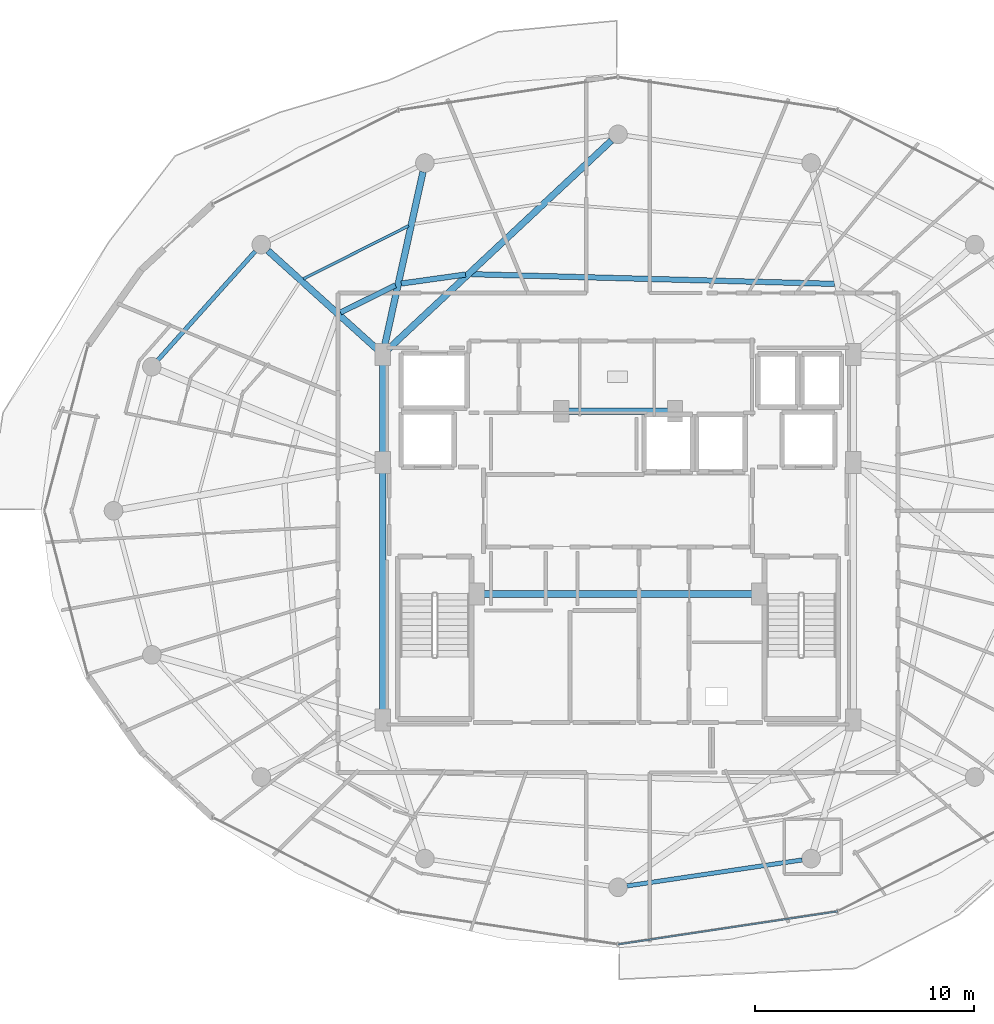
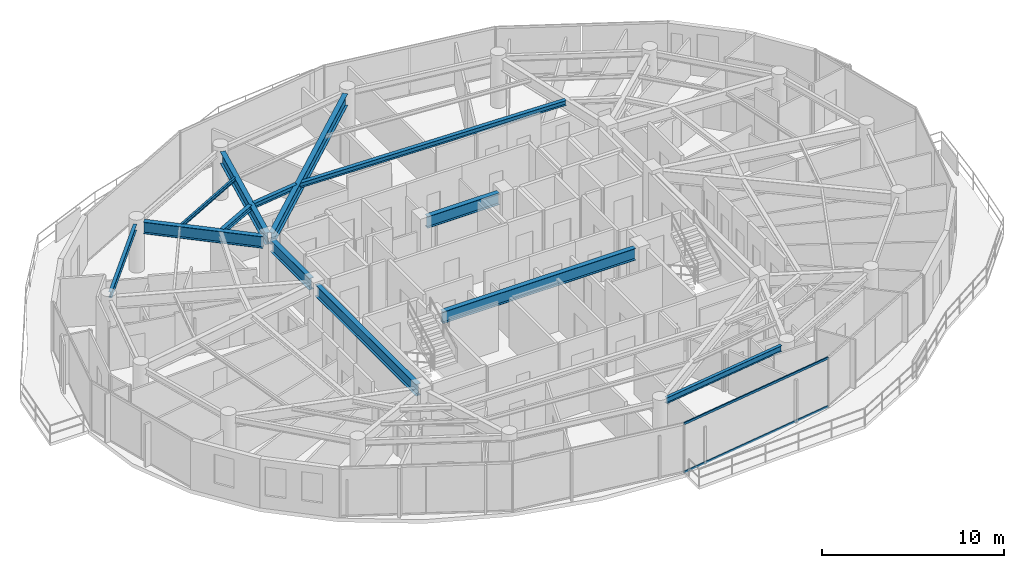
# One storey, part 9 of 29: 13 beams, 2 members, 1 element without a shape of its own.
"""IFC4 building model written with IfcOpenShell, lengths in metres."""

from ifc_helpers import new_model, si_unit, direction, frame, origin, origin_2d, place, context, subcontext, project, spatial, hollow_rectangle, i_section, extrude, material, material_profile, profile_set, type_object, element, aggregate, save


model = new_model("IFC4")

# Units and contexts
model_context = context("Model", 3, precision=1e-05, world=origin(), true_north=direction((0.0, 1.0)))
body_context = subcontext(model_context, "Body", "Model", "MODEL_VIEW")
ifc_project = project(units=[si_unit("LENGTHUNIT", "METRE"), si_unit("AREAUNIT", "SQUARE_METRE"), si_unit("VOLUMEUNIT", "CUBIC_METRE"), si_unit("PLANEANGLEUNIT", "RADIAN"), si_unit("MASSUNIT", "GRAM", prefix="KILO")], contexts=[model_context])

# Site, building, storey
site_placement = place(None, origin())
site = spatial("IfcSite", under=ifc_project, at=site_placement, CompositionType="ELEMENT")
building_placement = place(site_placement, origin())
building = spatial("IfcBuilding", under=site, at=building_placement, Name="Vorneva Point Tower", CompositionType="ELEMENT")
storey_placement = place(building_placement, frame((0.0, 0.0, 255.550048828125)))
storey = spatial("IfcBuildingStorey", under=building, at=storey_placement, Name="L69", CompositionType="ELEMENT", Elevation=255.550048828125)

# Beams
ifc_material_1 = material(Name="Steel S355", Category="steel")
ifc_material_profile_1 = material_profile(ifc_material_1, i_section(OverallWidth=0.300048828125, OverallDepth=0.7880859375, WebThickness=0.014404296875, FlangeThickness=0.02197265625, at=origin_2d()), Name="80Sh1")
ifc_profile_set_1 = profile_set([ifc_material_profile_1], Name="Steel S355")
beam_type_1 = type_object("IfcBeamType", Name="BM-GRD-80Sh1", PredefinedType="USERDEFINED", material=ifc_profile_set_1)
beam_1_placement = place(storey_placement, frame((37.6982421875, 42.91796875, 2.89599609375), z_axis=(-0.730485790946, -0.682927894602, 0.0), x_axis=(0.682927894602, -0.730485790946, 0.0)))
element("IfcBeam", 1, at=beam_1_placement, inside=storey, type_object=beam_type_1, Name="L69 Radial Primary Girder 05", ObjectType="GIRDER", PredefinedType="USERDEFINED", context=body_context, shape_type="SweptSolid", body=[
    extrude(i_section(OverallWidth=0.300048828125, OverallDepth=0.7880859375, WebThickness=0.014404296875, FlangeThickness=0.02197265625, at=origin_2d()), origin(), (0.0, 0.0, 1.0), 13.963134765625),
])
beam_2_placement = place(storey_placement, frame((29.090087890625, 41.4873046875, 2.89599609375), z_axis=(-0.215520742957, -0.976499262342, 0.0), x_axis=(0.976499262342, -0.215520742957, 0.0)))
element("IfcBeam", 2, at=beam_2_placement, inside=storey, type_object=beam_type_1, Name="L69 Radial Primary Girder 06", ObjectType="GIRDER", PredefinedType="USERDEFINED", context=body_context, shape_type="SweptSolid", body=[
    extrude(i_section(OverallWidth=0.300048828125, OverallDepth=0.7880859375, WebThickness=0.014404296875, FlangeThickness=0.02197265625, at=origin_2d()), origin(), (0.0, 0.0, 1.0), 8.197998046875),
])
beam_3_placement = place(storey_placement, frame((22.0078125, 37.885498046875, 2.89599609375), z_axis=(0.7420671051, -0.670325601128, 0.0), x_axis=(0.670325601128, 0.7420671051, 0.0)))
element("IfcBeam", 3, at=beam_3_placement, inside=storey, type_object=beam_type_1, Name="L69 Radial Primary Girder 07", ObjectType="GIRDER", PredefinedType="USERDEFINED", context=body_context, shape_type="SweptSolid", body=[
    extrude(i_section(OverallWidth=0.300048828125, OverallDepth=0.7880859375, WebThickness=0.014404296875, FlangeThickness=0.02197265625, at=origin_2d()), origin(), (0.0, 0.0, 1.0), 6.724365234375),
])
beam_4_placement = place(storey_placement, frame((27.25, 16.77001953125, 2.89599609375), z_axis=(0.0, 1.0, 0.0), x_axis=(-1.0, 0.0, 0.0)))
element("IfcBeam", 4, at=beam_4_placement, inside=storey, type_object=beam_type_1, Name="L69 Core Tie Girder CT1", ObjectType="GIRDER", PredefinedType="USERDEFINED", context=body_context, shape_type="SweptSolid", body=[
    extrude(i_section(OverallWidth=0.300048828125, OverallDepth=0.7880859375, WebThickness=0.014404296875, FlangeThickness=0.02197265625, at=origin_2d()), origin(), (0.0, 0.0, 1.0), 11.10986328125),
])
beam_5_placement = place(storey_placement, frame((27.25, 28.52001953125, 2.89599609375), z_axis=(0.0, 1.0, 0.0), x_axis=(-1.0, 0.0, 0.0)))
element("IfcBeam", 5, at=beam_5_placement, inside=storey, type_object=beam_type_1, Name="L69 Core Tie Girder CT2", ObjectType="GIRDER", PredefinedType="USERDEFINED", context=body_context, shape_type="SweptSolid", body=[
    extrude(i_section(OverallWidth=0.300048828125, OverallDepth=0.7880859375, WebThickness=0.014404296875, FlangeThickness=0.02197265625, at=origin_2d()), origin(), (0.0, 0.0, 1.0), 4.31005859375),
])
beam_6_placement = place(storey_placement, frame((35.719970703125, 30.550048828125, 2.89599609375), z_axis=(1.0, 0.0, 0.0), x_axis=(0.0, 1.0, 0.0)))
element("IfcBeam", 6, at=beam_6_placement, inside=storey, type_object=beam_type_1, Name="L69 Core Tie Girder CT8", ObjectType="GIRDER", PredefinedType="USERDEFINED", context=body_context, shape_type="SweptSolid", body=[
    extrude(i_section(OverallWidth=0.300048828125, OverallDepth=0.7880859375, WebThickness=0.014404296875, FlangeThickness=0.02197265625, at=origin_2d()), origin(), (0.0, 0.0, 1.0), 4.56005859375),
])
beam_7_placement = place(storey_placement, frame((31.8701171875, 22.199951171875, 2.89599609375), z_axis=(1.0, 0.0, 0.0), x_axis=(0.0, 1.0, 0.0)))
element("IfcBeam", 7, at=beam_7_placement, inside=storey, type_object=beam_type_1, Name="L69 Core Tie Girder CT7", ObjectType="GIRDER", PredefinedType="USERDEFINED", context=body_context, shape_type="SweptSolid", body=[
    extrude(i_section(OverallWidth=0.300048828125, OverallDepth=0.7880859375, WebThickness=0.014404296875, FlangeThickness=0.02197265625, at=origin_2d()), origin(), (0.0, 0.0, 1.0), 12.259765625),
])
ifc_material_profile_2 = material_profile(ifc_material_1, i_section(OverallWidth=0.1240234375, OverallDepth=0.248046875, WebThickness=0.0048828125, FlangeThickness=0.008056640625, at=origin_2d()), Name="25B1")
ifc_profile_set_2 = profile_set([ifc_material_profile_2], Name="Steel S355")
beam_type_2 = type_object("IfcBeamType", Name="BM-JST-25B1", PredefinedType="JOIST", material=ifc_profile_set_2)
beam_8_placement = place(storey_placement, frame((28.43701171875, 39.023681640625, 3.166015625), z_axis=(-0.892661963026, -0.450726768416, 0.0), x_axis=(0.450726768416, -0.892661963026, 0.0)))
element("IfcBeam", 8, at=beam_8_placement, inside=storey, type_object=beam_type_2, Name="L69 Secondary Floor Beam 1.06", PredefinedType="JOIST", context=body_context, shape_type="SweptSolid", body=[
    extrude(i_section(OverallWidth=0.1240234375, OverallDepth=0.248046875, WebThickness=0.0048828125, FlangeThickness=0.008056640625, at=origin_2d()), origin(), (0.0, 0.0, 1.0), 5.387451171875),
])
ifc_material_profile_3 = material_profile(ifc_material_1, i_section(OverallWidth=0.2490234375, OverallDepth=0.333984375, WebThickness=0.008056640625, FlangeThickness=0.010986328125, at=origin_2d()), Name="35Sh1")
ifc_profile_set_3 = profile_set([ifc_material_profile_3], Name="Steel S355")
beam_type_3 = type_object("IfcBeamType", Name="BM-SEC-35Sh1", PredefinedType="BEAM", material=ifc_profile_set_3)
beam_9_placement = place(storey_placement, frame((47.902587890625, 36.36767578125, 3.123046875), z_axis=(-0.99964288127, 0.026722835299, 0.0), x_axis=(-0.026722835299, -0.99964288127, 0.0)))
element("IfcBeam", 9, at=beam_9_placement, inside=storey, type_object=beam_type_3, Name="L69 Secondary Floor Beam 2.04", PredefinedType="BEAM", context=body_context, shape_type="SweptSolid", body=[
    extrude(i_section(OverallWidth=0.2490234375, OverallDepth=0.333984375, WebThickness=0.008056640625, FlangeThickness=0.010986328125, at=origin_2d()), origin(), (0.0, 0.0, 1.0), 16.60009765625),
])
beam_10_placement = place(storey_placement, frame((31.03369140625, 36.7958984375, 3.123046875), z_axis=(-0.990269518914, -0.139162782056, 0.0), x_axis=(0.139162782056, -0.990269518914, 0.0)))
element("IfcBeam", 10, at=beam_10_placement, inside=storey, type_object=beam_type_3, Name="L69 Secondary Floor Beam 2.05", PredefinedType="BEAM", context=body_context, shape_type="SweptSolid", body=[
    extrude(i_section(OverallWidth=0.2490234375, OverallDepth=0.333984375, WebThickness=0.008056640625, FlangeThickness=0.010986328125, at=origin_2d()), origin(), (0.0, 0.0, 1.0), 2.966552734375),
])
beam_11_placement = place(storey_placement, frame((27.835693359375, 36.302734375, 3.123046875), z_axis=(-0.896474982162, -0.443094353786, 0.0), x_axis=(0.443094353786, -0.896474982162, 0.0)))
element("IfcBeam", 11, at=beam_11_placement, inside=storey, type_object=beam_type_3, Name="L69 Secondary Floor Beam 2.06", PredefinedType="BEAM", context=body_context, shape_type="SweptSolid", body=[
    extrude(i_section(OverallWidth=0.2490234375, OverallDepth=0.333984375, WebThickness=0.008056640625, FlangeThickness=0.010986328125, at=origin_2d()), origin(), (0.0, 0.0, 1.0), 2.80078125),
])
ifc_material_profile_4 = material_profile(ifc_material_1, i_section(OverallWidth=0.198974609375, OverallDepth=0.39599609375, WebThickness=0.007080078125, FlangeThickness=0.010986328125, at=origin_2d()), Name="40B1")
ifc_profile_set_4 = profile_set([ifc_material_profile_4], Name="Steel S355")
beam_type_4 = type_object("IfcBeamType", Name="BM-SPN-40B1", PredefinedType="SPANDREL", material=ifc_profile_set_4)
beam_12_placement = place(storey_placement, frame((21.427734375, 37.856689453125, 3.092041015625), z_axis=(-0.667108282638, -0.744960763554, 0.0), x_axis=(0.744960763554, -0.667108282638, 0.0)))
element("IfcBeam", 12, at=beam_12_placement, inside=storey, type_object=beam_type_4, Name="L69 Perimeter Spandrel Ring Beam 07", PredefinedType="SPANDREL", context=body_context, shape_type="SweptSolid", body=[
    extrude(i_section(OverallWidth=0.198974609375, OverallDepth=0.39599609375, WebThickness=0.007080078125, FlangeThickness=0.010986328125, at=origin_2d()), origin(), (0.0, 0.0, 1.0), 6.670166015625),
])
beam_13_placement = place(storey_placement, frame((38.405517578125, 8.860107421875, 3.092041015625), z_axis=(0.989161657331, 0.146830567886, 0.0), x_axis=(-0.146830567886, 0.989161657331, 0.0)))
element("IfcBeam", 13, at=beam_13_placement, inside=storey, type_object=beam_type_4, Name="L69 Perimeter Spandrel Ring Beam 13", PredefinedType="SPANDREL", context=body_context, shape_type="SweptSolid", body=[
    extrude(i_section(OverallWidth=0.198974609375, OverallDepth=0.39599609375, WebThickness=0.007080078125, FlangeThickness=0.010986328125, at=origin_2d()), origin(), (0.0, 0.0, 1.0), 8.097412109375),
])

# Curtain wall, members
ifc_material_2 = material(Name="Pale anodised aluminium", Category="aluminium")
curtain_wall_type = type_object("IfcCurtainWallType", Name="CW-RES-SYS", PredefinedType="NOTDEFINED", material=ifc_material_2)
curtain_wall_placement = place(storey_placement, origin())
curtain_wall = element("IfcCurtainWall", 14, at=curtain_wall_placement, inside=storey, type_object=curtain_wall_type, Name="L69 Unitised Curtain Wall CW-L69-R04", PredefinedType="NOTDEFINED")
ifc_material_profile_5 = material_profile(ifc_material_2, hollow_rectangle(XDim=0.074951171875, YDim=0.14990234375, WallThickness=0.00390625, at=origin_2d()), Name="AL-TRN 150x75x4")
ifc_profile_set_5 = profile_set([ifc_material_profile_5], Name="Pale anodised aluminium")
member_type = type_object("IfcMemberType", Name="CW-TRN-150", PredefinedType="USERDEFINED", material=ifc_profile_set_5)
member_1_placement = place(storey_placement, frame((38.0, 6.18994140625, 0.02001953125), z_axis=(0.988876929856, 0.148736066907, 0.0), x_axis=(-0.148736066907, 0.988876929856, 0.0)))
member_1 = element("IfcMember", 15, at=member_1_placement, type_object=member_type, Name="CW-L69-R04 Transom 03.1", ObjectType="TRANSOM", PredefinedType="USERDEFINED", context=body_context, shape_type="SweptSolid", body=[
    extrude(hollow_rectangle(XDim=0.074951171875, YDim=0.14990234375, WallThickness=0.00390625, at=origin_2d()), origin(), (0.0, 0.0, 1.0), 10.13916015625),
])
member_2_placement = place(storey_placement, frame((38.0, 6.18994140625, 3.27001953125), z_axis=(0.988876929856, 0.148736066907, 0.0), x_axis=(-0.148736066907, 0.988876929856, 0.0)))
member_2 = element("IfcMember", 16, at=member_2_placement, type_object=member_type, Name="CW-L69-R04 Transom 03.2", ObjectType="TRANSOM", PredefinedType="USERDEFINED", context=body_context, shape_type="SweptSolid", body=[
    extrude(hollow_rectangle(XDim=0.074951171875, YDim=0.14990234375, WallThickness=0.00390625, at=origin_2d()), origin(), (0.0, 0.0, 1.0), 10.13916015625),
])
aggregate(curtain_wall, [member_1, member_2])

save(model, "model.ifc")
